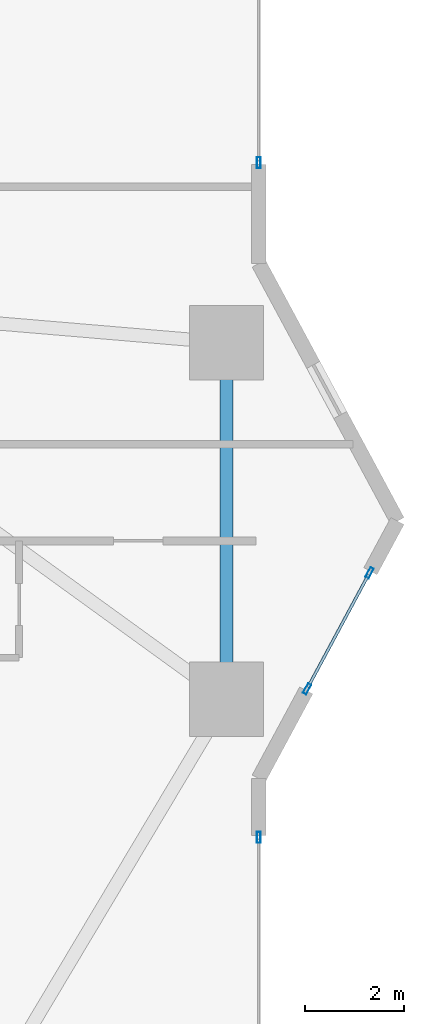
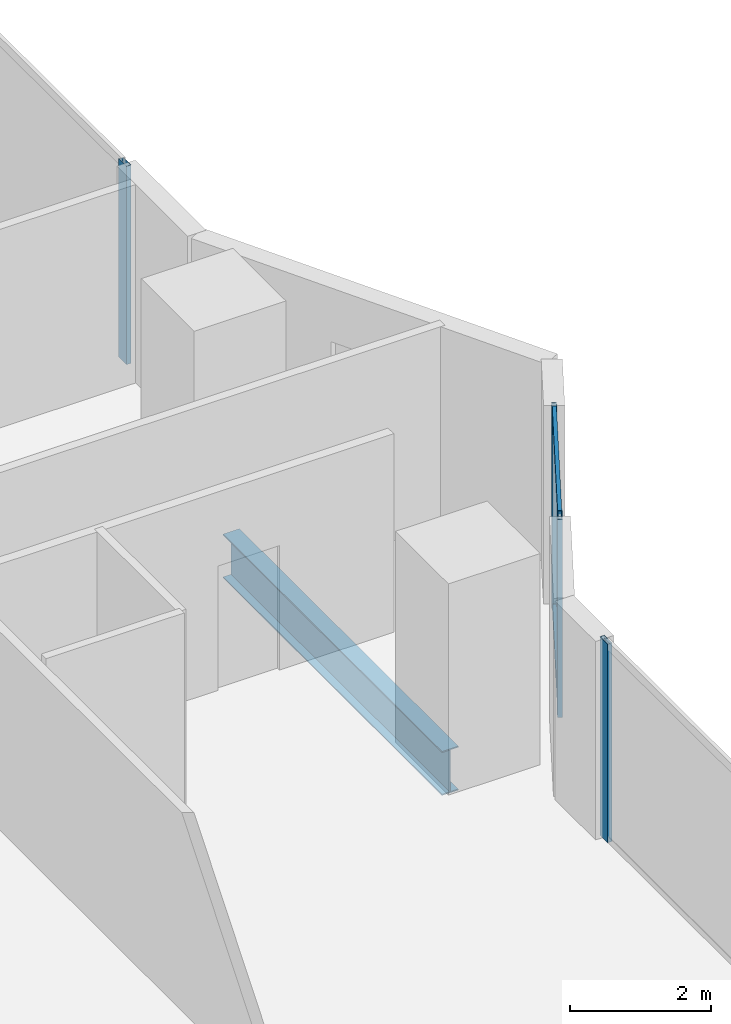
# One storey, part 12 of 29: 6 members, 1 beam, 3 elements without a shape of their own.
"""IFC4 building model written with IfcOpenShell, lengths in metres."""

import ifcopenshell
import ifcopenshell.guid

model = None  # the IFC model being written
_history = None  # IfcOwnerHistory: only IFC2X3 demands one
_inside = {}  # id of a spatial element -> (the spatial element, [elements in it])
_under = {}  # id of a project, library or spatial element -> (it, [spatial elements below it])
_declared = {}  # id of a project -> (the project, [libraries it declares])
_typed = {}  # id of a type object -> (the type object, [elements of that type])
_made_of = {}  # id of a material, layer set ... -> (it, [elements and type objects made of it])


def new_model(schema):
    """Start an empty IFC model of exactly this schema.

    Asked for "IFC4X3", IfcOpenShell would pick the latest addendum, in which some entities
    have other attributes; the version numbers below select the first issue.
    IFC2X3 requires an IfcOwnerHistory on every rooted entity: one is made here for all.
    """
    global model, _history
    if schema == "IFC4X3":
        model = ifcopenshell.file(schema_version=(4, 3, 0, 0))
    else:
        model = ifcopenshell.file(schema=schema)
    _inside.clear()
    _under.clear()
    _declared.clear()
    _typed.clear()
    _made_of.clear()
    _history = None
    if model.schema == "IFC2X3":
        org = make("IfcOrganization", Name="unknown")
        user = make(
            "IfcPersonAndOrganization",
            ThePerson=make("IfcPerson", FamilyName="unknown"),
            TheOrganization=org,
        )
        app = make(
            "IfcApplication",
            ApplicationDeveloper=org,
            Version="unknown",
            ApplicationFullName="unknown",
            ApplicationIdentifier="unknown",
        )
        _history = make(
            "IfcOwnerHistory",
            OwningUser=user,
            OwningApplication=app,
            ChangeAction="ADDED",
            CreationDate=0,
        )
    return model


def make(cls, **values):
    """One entity of the class cls with the attributes given. An attribute that is None is left unset."""
    return model.create_entity(
        cls, **{name: value for name, value in values.items() if value is not None}
    )


def rooted(cls, **values):
    """An entity with a GlobalId (a new one), such as an element, a storey or a relation."""
    return make(cls, GlobalId=ifcopenshell.guid.new(), OwnerHistory=_history, **values)


def si_unit(unit_type, name, prefix=None):
    """IfcSIUnit, for example si_unit("LENGTHUNIT", "METRE", prefix="MILLI")."""
    return make("IfcSIUnit", UnitType=unit_type, Prefix=prefix, Name=name)


def assignment(units):
    """IfcUnitAssignment: the units of a project."""
    return None if units is None else make("IfcUnitAssignment", Units=units)


def point(xyz):
    """IfcCartesianPoint."""
    return None if xyz is None else make("IfcCartesianPoint", Coordinates=xyz)


def direction(xyz):
    """IfcDirection."""
    return None if xyz is None else make("IfcDirection", DirectionRatios=xyz)


def frame(location, z_axis=None, x_axis=None):
    """IfcAxis2Placement3D, a coordinate frame: its origin and axes. An axis left out is left unset."""
    return make(
        "IfcAxis2Placement3D",
        Location=point(location),
        Axis=direction(z_axis),
        RefDirection=direction(x_axis),
    )


def frame_2d(location, x_axis=None):
    """IfcAxis2Placement2D, a coordinate frame in the plane: its origin and x axis."""
    return make(
        "IfcAxis2Placement2D", Location=point(location), RefDirection=direction(x_axis)
    )


def origin():
    """The frame at (0, 0, 0) with its axes left unset."""
    return frame((0.0, 0.0, 0.0))


def origin_2d():
    """The frame at (0, 0) in the plane with its x axis left unset."""
    return frame_2d((0.0, 0.0))


def place(relative_to, where):
    """IfcLocalPlacement: puts the frame where relative to a parent placement (None: the world)."""
    return make(
        "IfcLocalPlacement", PlacementRelTo=relative_to, RelativePlacement=where
    )


def context(
    kind, dimensions, precision=None, world=None, true_north=None, identifier=None
):
    """IfcGeometricRepresentationContext, for example the 3D "Model" context."""
    return make(
        "IfcGeometricRepresentationContext",
        ContextIdentifier=identifier,
        ContextType=kind,
        CoordinateSpaceDimension=dimensions,
        Precision=precision,
        WorldCoordinateSystem=world,
        TrueNorth=true_north,
    )


def subcontext(parent, identifier, kind, view, scale=None):
    """IfcGeometricRepresentationSubContext, for example "Body" below "Model"."""
    return make(
        "IfcGeometricRepresentationSubContext",
        ContextIdentifier=identifier,
        ContextType=kind,
        ParentContext=parent,
        TargetScale=scale,
        TargetView=view,
    )


def project(units=None, contexts=None):
    """IfcProject with its units and contexts."""
    return rooted(
        "IfcProject",
        Name="project",
        RepresentationContexts=contexts,
        UnitsInContext=assignment(units),
    )


def spatial(cls, under=None, at=None, **own):
    """A site, building, storey or space (cls), placed at a placement, below another one or the project."""
    s = rooted(cls, ObjectPlacement=at, **own)
    if under is not None:
        _under.setdefault(under.id(), (under, []))[1].append(s)
    return s


def profile(cls, at=None, kind="AREA", **sizes):
    """A parametric profile (cls). Its sizes go by their IFC names, for example OverallWidth=200.0."""
    return make(cls, ProfileType=kind, Position=at, **sizes)


def hollow_rectangle(**sizes):
    """IfcRectangleHollowProfileDef."""
    return profile("IfcRectangleHollowProfileDef", **sizes)


def i_section(**sizes):
    """IfcIShapeProfileDef."""
    return profile("IfcIShapeProfileDef", **sizes)


def extrude(swept, where, along, depth):
    """IfcExtrudedAreaSolid: the profile swept, set in the frame where, extruded along a direction by depth."""
    return make(
        "IfcExtrudedAreaSolid",
        SweptArea=swept,
        Position=where,
        ExtrudedDirection=direction(along),
        Depth=depth,
    )


def shape(context_of_items, identifier, shape_type, items):
    """IfcShapeRepresentation: the items that make up one representation, for example the "Body"."""
    return make(
        "IfcShapeRepresentation",
        ContextOfItems=context_of_items,
        RepresentationIdentifier=identifier,
        RepresentationType=shape_type,
        Items=items,
    )


def material(Name=None, Category=None):
    """IfcMaterial."""
    return make("IfcMaterial", Name=Name, Category=Category)


def layer(
    of_material, thickness, ventilated=None, Name=None, Category=None, Priority=None
):
    """IfcMaterialLayer: one layer of a wall or slab, of a material (None: an air gap)."""
    return make(
        "IfcMaterialLayer",
        Material=of_material,
        LayerThickness=thickness,
        IsVentilated=ventilated,
        Name=Name,
        Category=Category,
        Priority=Priority,
    )


def layer_set(layers, Name=None):
    """IfcMaterialLayerSet."""
    return make("IfcMaterialLayerSet", MaterialLayers=layers, LayerSetName=Name)


def material_profile(
    of_material, cross_section, Name=None, Category=None, Priority=None
):
    """IfcMaterialProfile: a cross section and its material."""
    return make(
        "IfcMaterialProfile",
        Name=Name,
        Material=of_material,
        Profile=cross_section,
        Priority=Priority,
        Category=Category,
    )


def profile_set(profiles, Name=None, composite=None):
    """IfcMaterialProfileSet."""
    return make(
        "IfcMaterialProfileSet",
        Name=Name,
        MaterialProfiles=profiles,
        CompositeProfile=composite,
    )


def made_of(thing, what):
    """Note that an element or type object is made of a material, layer set ...; save() writes the relation."""
    if what is not None:
        _made_of.setdefault(what.id(), (what, []))[1].append(thing)
    return thing


def type_object(cls, material=None, **own):
    """A type object (cls), such as IfcWallType, which elements share."""
    return made_of(rooted(cls, **own), material)


def element(
    cls,
    number,
    at=None,
    inside=None,
    cuts=None,
    type_object=None,
    material=None,
    context=None,
    identifier="Body",
    shape_type=None,
    held_by="IfcProductDefinitionShape",
    body=None,
    shapes=None,
    **own,
):
    """One element of the class cls, such as IfcWall. Its Tag is "e" and its number.

    at: its placement. inside: the storey or other place that contains it. cuts: it is an
    opening in that element (IfcRelVoidsElement). A single representation is given by context,
    identifier, shape_type and body (its items); several are given by shapes. held_by: the class
    of the entity that holds the representations. save() writes the other relations.
    """
    e = rooted(cls, Tag="e%d" % number, ObjectPlacement=at, **own)
    if body is not None:
        shapes = [shape(context, identifier, shape_type, body)]
    if shapes is not None:
        e.Representation = make(held_by, Representations=shapes)
    if inside is not None:
        _inside.setdefault(inside.id(), (inside, []))[1].append(e)
    if cuts is not None:
        rooted(
            "IfcRelVoidsElement", RelatingBuildingElement=cuts, RelatedOpeningElement=e
        )
    if type_object is not None:
        _typed.setdefault(type_object.id(), (type_object, []))[1].append(e)
    return made_of(e, material)


def aggregate(whole, parts):
    """IfcRelAggregates: a whole, such as a stair, and the parts it consists of."""
    return rooted("IfcRelAggregates", RelatingObject=whole, RelatedObjects=parts)


def save(model, path):
    """Write the relations noted so far, then the file.

    IfcRelAggregates (storeys below a building ...), IfcRelContainedInSpatialStructure (elements
    in a storey), IfcRelDefinesByType, IfcRelAssociatesMaterial and IfcRelDeclares: one each for
    every whole, place, type object, material and project.
    """
    for whole, parts in _under.values():
        aggregate(whole, parts)
    for where, things in _inside.values():
        rooted(
            "IfcRelContainedInSpatialStructure",
            RelatedElements=things,
            RelatingStructure=where,
        )
    for kind, things in _typed.values():
        rooted("IfcRelDefinesByType", RelatedObjects=things, RelatingType=kind)
    for what, things in _made_of.values():
        rooted("IfcRelAssociatesMaterial", RelatedObjects=things, RelatingMaterial=what)
    for by, libraries in _declared.values():
        rooted("IfcRelDeclares", RelatingContext=by, RelatedDefinitions=libraries)
    model.write(path)


model = new_model("IFC4")

# Units and contexts
model_context = context("Model", 3, precision=1e-05, world=origin(), true_north=direction((0.0, 1.0)))
body_context = subcontext(model_context, "Body", "Model", "MODEL_VIEW")
ifc_project = project(units=[si_unit("LENGTHUNIT", "METRE"), si_unit("AREAUNIT", "SQUARE_METRE"), si_unit("VOLUMEUNIT", "CUBIC_METRE"), si_unit("PLANEANGLEUNIT", "RADIAN"), si_unit("MASSUNIT", "GRAM", prefix="KILO")], contexts=[model_context])

# Site, building, storey
site_placement = place(None, origin())
site = spatial("IfcSite", under=ifc_project, at=site_placement, CompositionType="ELEMENT")
building_placement = place(site_placement, origin())
building = spatial("IfcBuilding", under=site, at=building_placement, Name="Zuhayl Quay Hotel", CompositionType="ELEMENT")
storey_placement = place(building_placement, frame((0.0, 0.0, 38.550048828125)))
storey = spatial("IfcBuildingStorey", under=building, at=storey_placement, Name="L08", CompositionType="ELEMENT", Elevation=38.550048828125)

# Beam
ifc_material_1 = material(Name="Steel ASTM A992 Grade 50", Category="steel")
ifc_material_profile_1 = material_profile(ifc_material_1, i_section(OverallWidth=0.26708984375, OverallDepth=0.761962890625, WebThickness=0.014404296875, FlangeThickness=0.021484375, at=origin_2d()), Name="W30X116")
ifc_profile_set_1 = profile_set([ifc_material_profile_1], Name="Steel ASTM A992 Grade 50")
beam_type = type_object("IfcBeamType", Name="BM_B1_W30X116", PredefinedType="BEAM", material=ifc_profile_set_1)
beam_placement = place(storey_placement, frame((25.050048828125, -3.10009765625, -0.60107421875), z_axis=(0.0, 1.0, 0.0), x_axis=(-1.0, 0.0, 0.0)))
element("IfcBeam", 1, at=beam_placement, inside=storey, type_object=beam_type, Name="L08 Floor Beam RG_L08_05", PredefinedType="BEAM", context=body_context, shape_type="SweptSolid", body=[
    extrude(i_section(OverallWidth=0.26708984375, OverallDepth=0.761962890625, WebThickness=0.014404296875, FlangeThickness=0.021484375, at=origin_2d()), origin(), (0.0, 0.0, 1.0), 6.2001953125),
])

# Curtain wall, member
ifc_material_2 = material(Name="Anodised Aluminium 6063-T6", Category="aluminium")
ifc_layer = layer(ifc_material_2, 0.18994140625, Name="Anodised Aluminium 6063-T6", Category="aluminium")
ifc_layer_set = layer_set([ifc_layer], Name="Anodised Aluminium 6063-T6")
curtain_wall_type = type_object("IfcCurtainWallType", Name="CW_SYS_Z1", PredefinedType="USERDEFINED", material=ifc_layer_set)
curtain_wall_1_placement = place(storey_placement, origin())
curtain_wall_1 = element("IfcCurtainWall", 2, at=curtain_wall_1_placement, inside=storey, type_object=curtain_wall_type, Name="L08 Curtain Wall ENV_L08_E11_CW1", ObjectType="UNITISED CURTAIN WALL", PredefinedType="USERDEFINED")
ifc_material_3 = material(Name="Black-anodised aluminium 6063-T6", Category="aluminium")
ifc_material_profile_2 = material_profile(ifc_material_3, hollow_rectangle(XDim=0.074951171875, YDim=0.219970703125, WallThickness=0.00390625, at=origin_2d()), Name="ALU220X75")
ifc_profile_set_2 = profile_set([ifc_material_profile_2], Name="Black-anodised aluminium 6063-T6")
member_type_1 = type_object("IfcMemberType", Name="MB_CW_MUL_220", PredefinedType="MULLION", material=ifc_profile_set_2)
member_1_placement = place(storey_placement, frame((25.699951171875, 7.237548828125, 0.0), z_axis=(0.0, 0.0, 1.0), x_axis=(1.0, 0.0, 0.0)))
member_1 = element("IfcMember", 3, at=member_1_placement, type_object=member_type_1, Name="CW-Z1 mullion 2", PredefinedType="MULLION", context=body_context, shape_type="SweptSolid", body=[
    extrude(hollow_rectangle(XDim=0.074951171875, YDim=0.219970703125, WallThickness=0.00390625, at=origin_2d()), origin(), (0.0, 0.0, 1.0), 3.429931640625),
])
aggregate(curtain_wall_1, [member_1])

# Curtain wall, members
curtain_wall_2_placement = place(storey_placement, origin())
curtain_wall_2 = element("IfcCurtainWall", 4, at=curtain_wall_2_placement, inside=storey, type_object=curtain_wall_type, Name="L08 Curtain Wall ENV_L08_E13_CW1", ObjectType="UNITISED CURTAIN WALL", PredefinedType="USERDEFINED")
member_2_placement = place(storey_placement, frame((27.93701171875, -1.04541015625, 0.0), z_axis=(0.0, 0.0, 1.0), x_axis=(0.880475795468, -0.474091102632, 0.0)))
member_2 = element("IfcMember", 5, at=member_2_placement, type_object=member_type_1, Name="CW-Z1 mullion 1", PredefinedType="MULLION", context=body_context, shape_type="SweptSolid", body=[
    extrude(hollow_rectangle(XDim=0.074951171875, YDim=0.219970703125, WallThickness=0.00390625, at=origin_2d()), origin(), (0.0, 0.0, 1.0), 3.429931640625),
])
member_3_placement = place(storey_placement, frame((26.67578125, -3.387939453125, 0.0), z_axis=(0.0, 0.0, 1.0), x_axis=(0.880475795468, -0.474091102632, 0.0)))
member_3 = element("IfcMember", 6, at=member_3_placement, type_object=member_type_1, Name="CW-Z1 mullion 2", PredefinedType="MULLION", context=body_context, shape_type="SweptSolid", body=[
    extrude(hollow_rectangle(XDim=0.074951171875, YDim=0.219970703125, WallThickness=0.00390625, at=origin_2d()), origin(), (0.0, 0.0, 1.0), 3.429931640625),
])

# Curtain wall, member
curtain_wall_3_placement = place(storey_placement, origin())
curtain_wall_3 = element("IfcCurtainWall", 7, at=curtain_wall_3_placement, inside=storey, type_object=curtain_wall_type, Name="L08 Curtain Wall ENV_L08_E14_CW1", ObjectType="UNITISED CURTAIN WALL", PredefinedType="USERDEFINED")
member_4_placement = place(storey_placement, frame((25.699951171875, -6.387451171875, 0.0), z_axis=(0.0, 0.0, 1.0), x_axis=(1.0, 0.0, 0.0)))
member_4 = element("IfcMember", 8, at=member_4_placement, type_object=member_type_1, Name="CW-Z1 mullion 1", PredefinedType="MULLION", context=body_context, shape_type="SweptSolid", body=[
    extrude(hollow_rectangle(XDim=0.074951171875, YDim=0.219970703125, WallThickness=0.00390625, at=origin_2d()), origin(), (0.0, 0.0, 1.0), 3.429931640625),
])
aggregate(curtain_wall_3, [member_4])

# Member
ifc_material_profile_3 = material_profile(ifc_material_3, hollow_rectangle(XDim=0.06005859375, YDim=0.14990234375, WallThickness=0.00341796875, at=origin_2d()), Name="ALU150X60")
ifc_profile_set_3 = profile_set([ifc_material_profile_3], Name="Black-anodised aluminium 6063-T6")
member_type_2 = type_object("IfcMemberType", Name="MB_CW_TRN_150", PredefinedType="USERDEFINED", material=ifc_profile_set_3)
member_5_placement = place(storey_placement, frame((27.919189453125, -1.07861328125, 0.030029296875), z_axis=(-0.474054771703, -0.880495356845, 0.0), x_axis=(0.880495356845, -0.474054771703, 0.0)))
member_5 = element("IfcMember", 9, at=member_5_placement, type_object=member_type_2, Name="CW-Z1 transom 1.1", ObjectType="TRANSOM", PredefinedType="USERDEFINED", context=body_context, shape_type="SweptSolid", body=[
    extrude(hollow_rectangle(XDim=0.06005859375, YDim=0.14990234375, WallThickness=0.00341796875, at=origin_2d()), origin(), (0.0, 0.0, 1.0), 2.585205078125),
])

member_6_placement = place(storey_placement, frame((27.919189453125, -1.07861328125, 3.39990234375), z_axis=(-0.474054771703, -0.880495356845, 0.0), x_axis=(0.880495356845, -0.474054771703, 0.0)))
member_6 = element("IfcMember", 10, at=member_6_placement, type_object=member_type_2, Name="CW-Z1 transom 1.2", ObjectType="TRANSOM", PredefinedType="USERDEFINED", context=body_context, shape_type="SweptSolid", body=[
    extrude(hollow_rectangle(XDim=0.06005859375, YDim=0.14990234375, WallThickness=0.00341796875, at=origin_2d()), origin(), (0.0, 0.0, 1.0), 2.585205078125),
])

aggregate(curtain_wall_2, [member_2, member_3, member_5, member_6])

save(model, "model.ifc")
